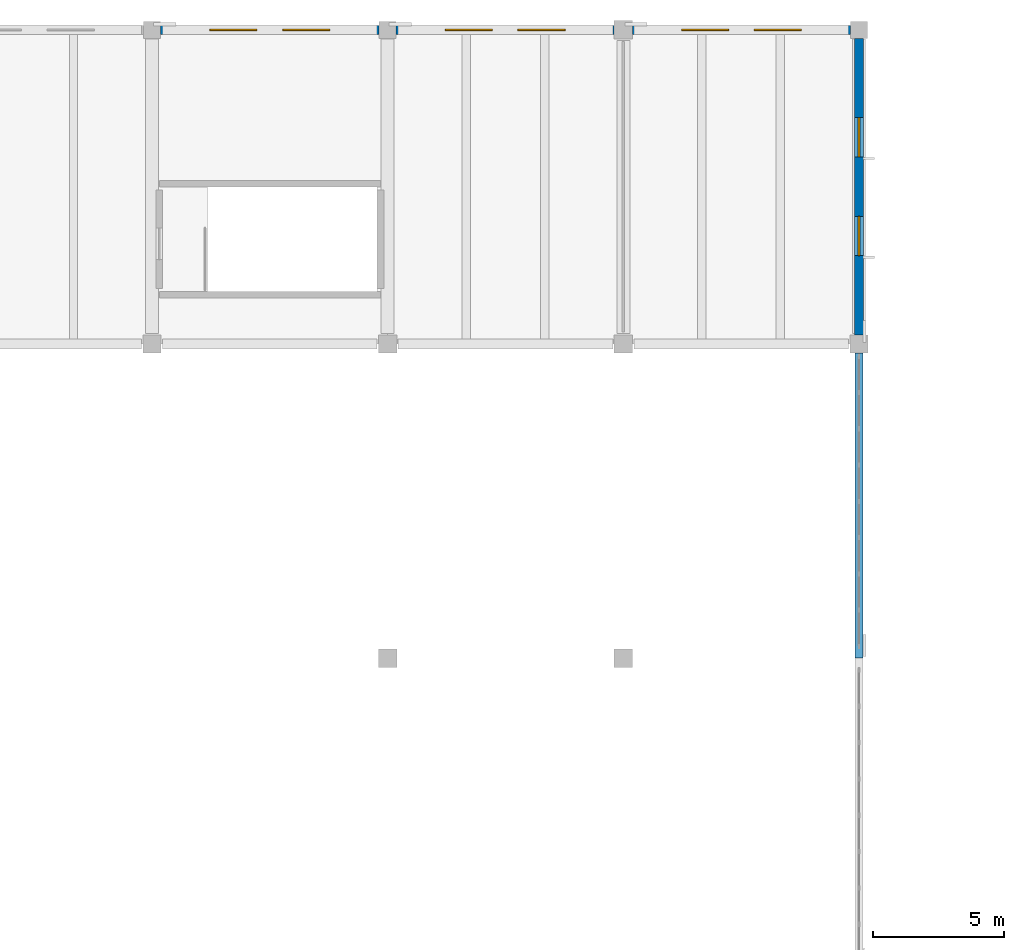
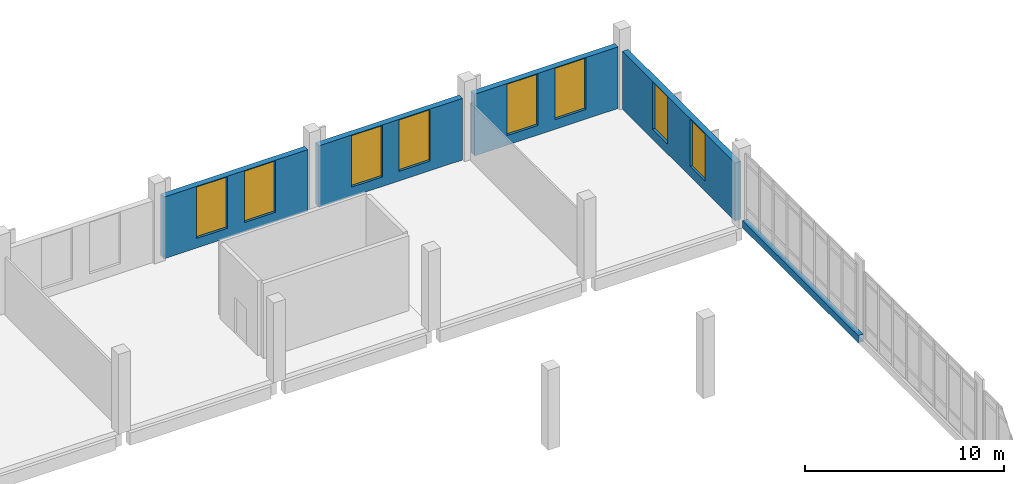
# One storey, part 93 of 110: 8 windows, 5 walls, 8 openings.
"""IFC4 building model written with IfcOpenShell, lengths in metres."""

from ifc_helpers import new_model, si_unit, direction, frame, frame_2d, origin, place, context, subcontext, project, spatial, rectangle, extrude, material, layer, layer_set, type_object, element, fill, save


model = new_model("IFC4")

# Units and contexts
model_context = context("Model", 3, precision=1e-05, world=origin(), true_north=direction((0.0, 1.0)))
body_context = subcontext(model_context, "Body", "Model", "MODEL_VIEW")
ifc_project = project(units=[si_unit("LENGTHUNIT", "METRE"), si_unit("AREAUNIT", "SQUARE_METRE"), si_unit("VOLUMEUNIT", "CUBIC_METRE"), si_unit("PLANEANGLEUNIT", "RADIAN"), si_unit("MASSUNIT", "GRAM", prefix="KILO")], contexts=[model_context])

# Site, building, storey
site_placement = place(None, origin())
site = spatial("IfcSite", under=ifc_project, at=site_placement, CompositionType="ELEMENT")
building_placement = place(site_placement, origin())
building = spatial("IfcBuilding", under=site, at=building_placement, Name="Zacnel Wholesale Market", CompositionType="ELEMENT")
storey_placement = place(building_placement, frame((0.0, 0.0, 6.300048828125)))
storey = spatial("IfcBuildingStorey", under=building, at=storey_placement, Name="L02", CompositionType="ELEMENT", Elevation=6.300048828125)

# Wall
ifc_material_1 = material(Name="Precast concrete C40/50 (Cancun limestone aggregate)", Category="masonry")
ifc_layer_1 = layer(ifc_material_1, 0.300048828125)
ifc_layer_set_1 = layer_set([ifc_layer_1], Name="Precast concrete C40/50 (Cancun limestone aggregate)")
wall_type_1 = type_object("IfcWallType", Name="WL-EXT-LIME-300", PredefinedType="SOLIDWALL", material=ifc_layer_set_1)
wall_1_placement = place(storey_placement, frame((189.0, 120.0, 0.0), z_axis=(0.0, 0.0, 1.0), x_axis=(0.0, 1.0, 0.0)))
element("IfcWall", 1, at=wall_1_placement, inside=storey, type_object=wall_type_1, Name="Curtain-wall limestone plinth L02-0034", PredefinedType="SOLIDWALL", context=body_context, shape_type="SweptSolid", body=[
    extrude(rectangle(XDim=11.64990234375, YDim=0.300048828125, at=frame_2d((5.824951171875, 0.0))), origin(), (0.0, 0.0, 1.0), 0.449951171875),
])

# Wall, openings, windows
ifc_material_2 = material(Name="Precast concrete C40/50 (Cancun limestone aggregate)", Category="masonry")
ifc_layer_2 = layer(ifc_material_2, 0.340087890625)
ifc_layer_set_2 = layer_set([ifc_layer_2], Name="Precast concrete C40/50 (Cancun limestone aggregate)")
wall_type_2 = type_object("IfcWallType", Name="WL-EXT-LIME-340", PredefinedType="SOLIDWALL", material=ifc_layer_set_2)
wall_2_placement = place(storey_placement, frame((162.324951171875, 144.0, 0.0), z_axis=(0.0, 0.0, 1.0), x_axis=(1.0, 0.0, 0.0)))
wall_2 = element("IfcWall", 2, at=wall_2_placement, inside=storey, type_object=wall_type_2, Name="Exterior wall L02-0293", PredefinedType="SOLIDWALL", context=body_context, shape_type="SweptSolid", body=[
    extrude(rectangle(XDim=8.35009765625, YDim=0.340087890625, at=frame_2d((4.175048828125, 0.0))), origin(), (0.0, 0.0, 1.0), 3.780029296875),
])
opening_1_placement = place(wall_2_placement, frame((1.883056640625, 0.0, 0.590087890625)))
opening_1 = element("IfcOpeningElement", 3, at=opening_1_placement, cuts=wall_2, Name="Opening W-03", PredefinedType="OPENING", context=body_context, shape_type="SweptSolid", body=[
    extrude(rectangle(XDim=1.800048828125, YDim=3.14990234375, at=frame_2d((0.89990234375, 1.574951171875))), frame((0.0, 0.179931640625, 0.0), z_axis=(0.0, -1.0, 0.0), x_axis=(1.0, 0.0, 0.0)), (0.0, 0.0, 1.0), 0.360107421875),
])
opening_2_placement = place(wall_2_placement, frame((4.6669921875, 0.0, 0.590087890625)))
opening_2 = element("IfcOpeningElement", 4, at=opening_2_placement, cuts=wall_2, Name="Opening W-03", PredefinedType="OPENING", context=body_context, shape_type="SweptSolid", body=[
    extrude(rectangle(XDim=1.800048828125, YDim=3.14990234375, at=frame_2d((0.89990234375, 1.574951171875))), frame((0.0, 0.179931640625, 0.0), z_axis=(0.0, -1.0, 0.0), x_axis=(1.0, 0.0, 0.0)), (0.0, 0.0, 1.0), 0.360107421875),
])
ifc_material_3 = material(Name="Laminated hurricane-impact low-E insulated glass", Category="glass")
window_type_1 = type_object("IfcWindowType", Name="WIN-DEC-1800X3150", PartitioningType="DOUBLE_PANEL_VERTICAL", PredefinedType="WINDOW", material=ifc_material_3)
window_1_placement = place(opening_1_placement, origin())
window_1 = element("IfcWindow", 5, at=window_1_placement, inside=storey, type_object=window_type_1, Name="Window L02-0321", OverallHeight=3.14990234375, OverallWidth=1.800048828125, PartitioningType="DOUBLE_PANEL_VERTICAL", PredefinedType="WINDOW", context=body_context, shape_type="SweptSolid", body=[
    extrude(rectangle(XDim=1.800048828125, YDim=3.14990234375, at=frame_2d((0.89990234375, 1.574951171875))), frame((0.0, 0.030029296875, 0.0), z_axis=(0.0, -1.0, 0.0), x_axis=(1.0, 0.0, 0.0)), (0.0, 0.0, 1.0), 0.06005859375),
])
fill(opening_1, window_1)
window_2_placement = place(opening_2_placement, origin())
window_2 = element("IfcWindow", 6, at=window_2_placement, inside=storey, type_object=window_type_1, Name="Window L02-0322", OverallHeight=3.14990234375, OverallWidth=1.800048828125, PartitioningType="DOUBLE_PANEL_VERTICAL", PredefinedType="WINDOW", context=body_context, shape_type="SweptSolid", body=[
    extrude(rectangle(XDim=1.800048828125, YDim=3.14990234375, at=frame_2d((0.89990234375, 1.574951171875))), frame((0.0, 0.030029296875, 0.0), z_axis=(0.0, -1.0, 0.0), x_axis=(1.0, 0.0, 0.0)), (0.0, 0.0, 1.0), 0.06005859375),
])
fill(opening_2, window_2)

wall_3_placement = place(storey_placement, frame((171.324951171875, 144.0, 0.0), z_axis=(0.0, 0.0, 1.0), x_axis=(1.0, 0.0, 0.0)))
wall_3 = element("IfcWall", 7, at=wall_3_placement, inside=storey, type_object=wall_type_2, Name="Exterior wall L02-0294", PredefinedType="SOLIDWALL", context=body_context, shape_type="SweptSolid", body=[
    extrude(rectangle(XDim=8.324951171875, YDim=0.340087890625, at=frame_2d((4.16259765625, 0.0))), origin(), (0.0, 0.0, 1.0), 3.780029296875),
])
opening_3_placement = place(wall_3_placement, frame((1.875, 0.0, 0.590087890625)))
opening_3 = element("IfcOpeningElement", 8, at=opening_3_placement, cuts=wall_3, Name="Opening W-03", PredefinedType="OPENING", context=body_context, shape_type="SweptSolid", body=[
    extrude(rectangle(XDim=1.800048828125, YDim=3.14990234375, at=frame_2d((0.89990234375, 1.574951171875))), frame((0.0, 0.179931640625, 0.0), z_axis=(0.0, -1.0, 0.0), x_axis=(1.0, 0.0, 0.0)), (0.0, 0.0, 1.0), 0.360107421875),
])
opening_4_placement = place(wall_3_placement, frame((4.64990234375, 0.0, 0.590087890625)))
opening_4 = element("IfcOpeningElement", 9, at=opening_4_placement, cuts=wall_3, Name="Opening W-03", PredefinedType="OPENING", context=body_context, shape_type="SweptSolid", body=[
    extrude(rectangle(XDim=1.800048828125, YDim=3.14990234375, at=frame_2d((0.89990234375, 1.574951171875))), frame((0.0, 0.179931640625, 0.0), z_axis=(0.0, -1.0, 0.0), x_axis=(1.0, 0.0, 0.0)), (0.0, 0.0, 1.0), 0.360107421875),
])
window_3_placement = place(opening_3_placement, origin())
window_3 = element("IfcWindow", 10, at=window_3_placement, inside=storey, type_object=window_type_1, Name="Window L02-0323", OverallHeight=3.14990234375, OverallWidth=1.800048828125, PartitioningType="DOUBLE_PANEL_VERTICAL", PredefinedType="WINDOW", context=body_context, shape_type="SweptSolid", body=[
    extrude(rectangle(XDim=1.800048828125, YDim=3.14990234375, at=frame_2d((0.89990234375, 1.574951171875))), frame((0.0, 0.030029296875, 0.0), z_axis=(0.0, -1.0, 0.0), x_axis=(1.0, 0.0, 0.0)), (0.0, 0.0, 1.0), 0.06005859375),
])
fill(opening_3, window_3)
window_4_placement = place(opening_4_placement, origin())
window_4 = element("IfcWindow", 11, at=window_4_placement, inside=storey, type_object=window_type_1, Name="Window L02-0324", OverallHeight=3.14990234375, OverallWidth=1.800048828125, PartitioningType="DOUBLE_PANEL_VERTICAL", PredefinedType="WINDOW", context=body_context, shape_type="SweptSolid", body=[
    extrude(rectangle(XDim=1.800048828125, YDim=3.14990234375, at=frame_2d((0.89990234375, 1.574951171875))), frame((0.0, 0.030029296875, 0.0), z_axis=(0.0, -1.0, 0.0), x_axis=(1.0, 0.0, 0.0)), (0.0, 0.0, 1.0), 0.06005859375),
])
fill(opening_4, window_4)

wall_4_placement = place(storey_placement, frame((180.35009765625, 144.0, 0.0), z_axis=(0.0, 0.0, 1.0), x_axis=(1.0, 0.0, 0.0)))
wall_4 = element("IfcWall", 12, at=wall_4_placement, inside=storey, type_object=wall_type_2, Name="Exterior wall L02-0295", PredefinedType="SOLIDWALL", context=body_context, shape_type="SweptSolid", body=[
    extrude(rectangle(XDim=8.324951171875, YDim=0.340087890625, at=frame_2d((4.16259765625, 0.0))), origin(), (0.0, 0.0, 1.0), 3.780029296875),
])
opening_5_placement = place(wall_4_placement, frame((1.875, 0.0, 0.590087890625)))
opening_5 = element("IfcOpeningElement", 13, at=opening_5_placement, cuts=wall_4, Name="Opening W-03", PredefinedType="OPENING", context=body_context, shape_type="SweptSolid", body=[
    extrude(rectangle(XDim=1.800048828125, YDim=3.14990234375, at=frame_2d((0.89990234375, 1.574951171875))), frame((0.0, 0.179931640625, 0.0), z_axis=(0.0, -1.0, 0.0), x_axis=(1.0, 0.0, 0.0)), (0.0, 0.0, 1.0), 0.360107421875),
])
opening_6_placement = place(wall_4_placement, frame((4.64990234375, 0.0, 0.590087890625)))
opening_6 = element("IfcOpeningElement", 14, at=opening_6_placement, cuts=wall_4, Name="Opening W-03", PredefinedType="OPENING", context=body_context, shape_type="SweptSolid", body=[
    extrude(rectangle(XDim=1.800048828125, YDim=3.14990234375, at=frame_2d((0.89990234375, 1.574951171875))), frame((0.0, 0.179931640625, 0.0), z_axis=(0.0, -1.0, 0.0), x_axis=(1.0, 0.0, 0.0)), (0.0, 0.0, 1.0), 0.360107421875),
])
window_5_placement = place(opening_5_placement, origin())
window_5 = element("IfcWindow", 15, at=window_5_placement, inside=storey, type_object=window_type_1, Name="Window L02-0325", OverallHeight=3.14990234375, OverallWidth=1.800048828125, PartitioningType="DOUBLE_PANEL_VERTICAL", PredefinedType="WINDOW", context=body_context, shape_type="SweptSolid", body=[
    extrude(rectangle(XDim=1.800048828125, YDim=3.14990234375, at=frame_2d((0.89990234375, 1.574951171875))), frame((0.0, 0.030029296875, 0.0), z_axis=(0.0, -1.0, 0.0), x_axis=(1.0, 0.0, 0.0)), (0.0, 0.0, 1.0), 0.06005859375),
])
fill(opening_5, window_5)
window_6_placement = place(opening_6_placement, origin())
window_6 = element("IfcWindow", 16, at=window_6_placement, inside=storey, type_object=window_type_1, Name="Window L02-0326", OverallHeight=3.14990234375, OverallWidth=1.800048828125, PartitioningType="DOUBLE_PANEL_VERTICAL", PredefinedType="WINDOW", context=body_context, shape_type="SweptSolid", body=[
    extrude(rectangle(XDim=1.800048828125, YDim=3.14990234375, at=frame_2d((0.89990234375, 1.574951171875))), frame((0.0, 0.030029296875, 0.0), z_axis=(0.0, -1.0, 0.0), x_axis=(1.0, 0.0, 0.0)), (0.0, 0.0, 1.0), 0.06005859375),
])
fill(opening_6, window_6)

wall_5_placement = place(storey_placement, frame((189.0, 132.35009765625, 0.0), z_axis=(0.0, 0.0, 1.0), x_axis=(0.0, 1.0, 0.0)))
wall_5 = element("IfcWall", 17, at=wall_5_placement, inside=storey, type_object=wall_type_2, Name="Exterior wall L02-0297", PredefinedType="SOLIDWALL", context=body_context, shape_type="SweptSolid", body=[
    extrude(rectangle(XDim=11.324951171875, YDim=0.340087890625, at=frame_2d((5.66259765625, 0.0))), origin(), (0.0, 0.0, 1.0), 3.550048828125),
])
opening_7_placement = place(wall_5_placement, frame((3.02490234375, 0.0, 0.610107421875)))
opening_7 = element("IfcOpeningElement", 18, at=opening_7_placement, cuts=wall_5, Name="Opening W-04", PredefinedType="OPENING", context=body_context, shape_type="SweptSolid", body=[
    extrude(rectangle(XDim=1.5, YDim=2.89990234375, at=frame_2d((0.75, 1.449951171875))), frame((0.0, 0.179931640625, 0.0), z_axis=(0.0, -1.0, 0.0), x_axis=(1.0, 0.0, 0.0)), (0.0, 0.0, 1.0), 0.360107421875),
])
opening_8_placement = place(wall_5_placement, frame((6.800048828125, 0.0, 0.610107421875)))
opening_8 = element("IfcOpeningElement", 19, at=opening_8_placement, cuts=wall_5, Name="Opening W-04", PredefinedType="OPENING", context=body_context, shape_type="SweptSolid", body=[
    extrude(rectangle(XDim=1.5, YDim=2.89990234375, at=frame_2d((0.75, 1.449951171875))), frame((0.0, 0.179931640625, 0.0), z_axis=(0.0, -1.0, 0.0), x_axis=(1.0, 0.0, 0.0)), (0.0, 0.0, 1.0), 0.360107421875),
])
ifc_material_4 = material(Name="Laminated hurricane-impact low-E insulated glass", Category="glass")
window_type_2 = type_object("IfcWindowType", Name="WIN-DEC-1500X2900", PartitioningType="DOUBLE_PANEL_VERTICAL", PredefinedType="WINDOW", material=ifc_material_4)
window_7_placement = place(opening_7_placement, origin())
window_7 = element("IfcWindow", 20, at=window_7_placement, inside=storey, type_object=window_type_2, Name="Window L02-0329", OverallHeight=2.89990234375, OverallWidth=1.5, PartitioningType="DOUBLE_PANEL_VERTICAL", PredefinedType="WINDOW", context=body_context, shape_type="SweptSolid", body=[
    extrude(rectangle(XDim=1.5, YDim=2.89990234375, at=frame_2d((0.75, 1.449951171875))), frame((0.0, 0.030029296875, 0.0), z_axis=(0.0, -1.0, 0.0), x_axis=(1.0, 0.0, 0.0)), (0.0, 0.0, 1.0), 0.06005859375),
])
fill(opening_7, window_7)
window_8_placement = place(opening_8_placement, origin())
window_8 = element("IfcWindow", 21, at=window_8_placement, inside=storey, type_object=window_type_2, Name="Window L02-0330", OverallHeight=2.89990234375, OverallWidth=1.5, PartitioningType="DOUBLE_PANEL_VERTICAL", PredefinedType="WINDOW", context=body_context, shape_type="SweptSolid", body=[
    extrude(rectangle(XDim=1.5, YDim=2.89990234375, at=frame_2d((0.75, 1.449951171875))), frame((0.0, 0.030029296875, 0.0), z_axis=(0.0, -1.0, 0.0), x_axis=(1.0, 0.0, 0.0)), (0.0, 0.0, 1.0), 0.06005859375),
])
fill(opening_8, window_8)

save(model, "model.ifc")
